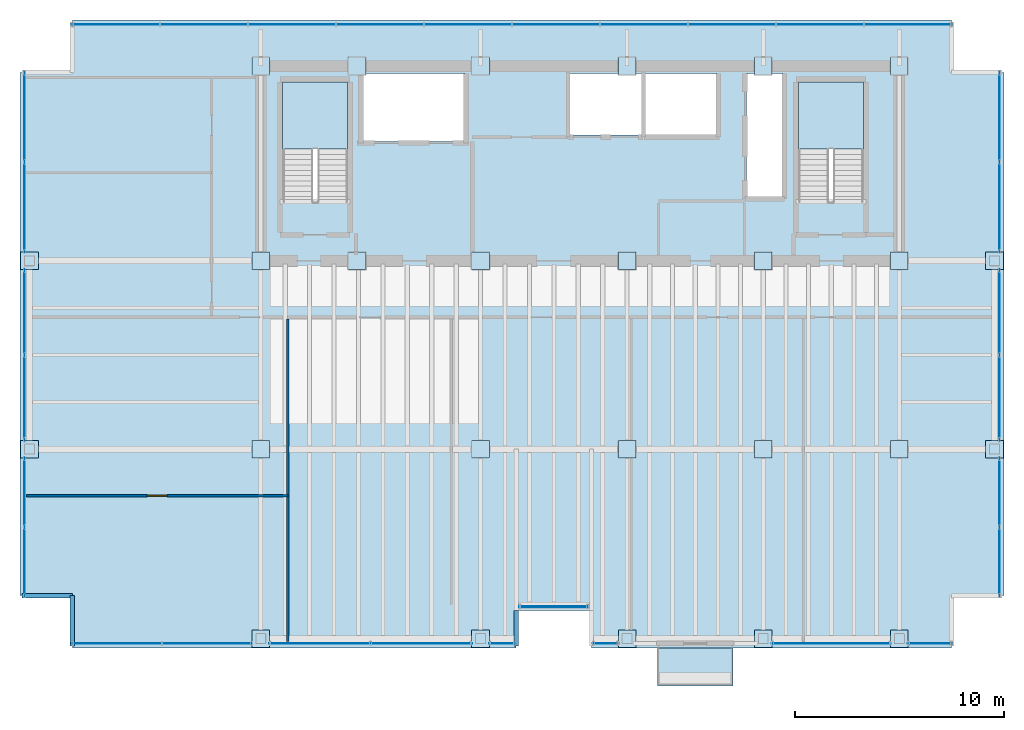
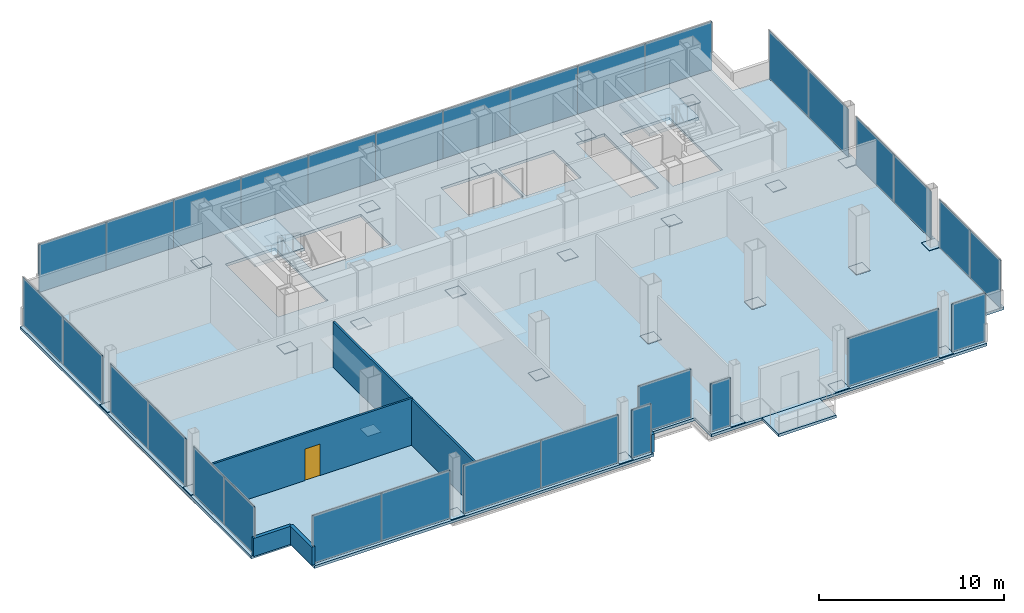
# One storey, part 17 of 20: 57 plates, 5 walls, 4 slabs, 1 door, 7 openings, 16 elements without a shape of their own.
"""IFC4 building model written with IfcOpenShell, lengths in metres."""

from ifc_helpers import new_model, si_unit, direction, frame, frame_2d, origin, origin_2d, place, context, subcontext, project, spatial, polyline, rectangle, outline, extrude, material, layer, layer_set, type_object, element, fill, aggregate, save


model = new_model("IFC4")

# Units and contexts
model_context = context("Model", 3, precision=1e-05, world=origin(), true_north=direction((0.0, 1.0)))
body_context = subcontext(model_context, "Body", "Model", "MODEL_VIEW")
ifc_project = project(units=[si_unit("LENGTHUNIT", "METRE"), si_unit("AREAUNIT", "SQUARE_METRE"), si_unit("VOLUMEUNIT", "CUBIC_METRE"), si_unit("PLANEANGLEUNIT", "RADIAN"), si_unit("MASSUNIT", "GRAM", prefix="KILO")], contexts=[model_context])

# Site, building, storey
site_placement = place(None, origin())
site = spatial("IfcSite", under=ifc_project, at=site_placement, CompositionType="ELEMENT")
building_placement = place(site_placement, origin())
building = spatial("IfcBuilding", under=site, at=building_placement, Name="Noeulbin Bourse Tower", CompositionType="ELEMENT")
storey_placement = place(building_placement, frame((0.0, 0.0, 122.699951171875)))
storey = spatial("IfcBuildingStorey", under=building, at=storey_placement, Name="L30", CompositionType="ELEMENT", Elevation=122.699951171875)

# Curtain wall, plate
ifc_material_1 = material(Name="Dark Tinted Triple Glazing", Category="glass")
curtain_wall_type = type_object("IfcCurtainWallType", Name="CW-SYS-3", PredefinedType="NOTDEFINED", material=ifc_material_1)
curtain_wall_1_placement = place(storey_placement, origin())
curtain_wall_1 = element("IfcCurtainWall", 1, at=curtain_wall_1_placement, inside=storey, type_object=curtain_wall_type, Name="Unitised Curtain Wall CW-L30-SREC", PredefinedType="NOTDEFINED")
ifc_layer_1 = layer(ifc_material_1, 0.035888671875)
ifc_layer_set_1 = layer_set([ifc_layer_1], Name="Dark Tinted Triple Glazing")
plate_type_1 = type_object("IfcPlateType", Name="CW-SYS-3-PNL", PredefinedType="CURTAIN_PANEL", material=ifc_layer_set_1)
plate_1_placement = place(storey_placement, frame((27.5, 12.47998046875, 0.0), z_axis=(0.0, 0.0, 1.0), x_axis=(1.0, 0.0, 0.0)))
plate_1 = element("IfcPlate", 2, at=plate_1_placement, type_object=plate_type_1, Name="Glazed Curtain Panel CW-L30-SREC-P00", PredefinedType="CURTAIN_PANEL", context=body_context, shape_type="SweptSolid", body=[
    extrude(rectangle(XDim=3.300048828125, YDim=0.035888671875, at=origin_2d()), origin(), (0.0, 0.0, 1.0), 3.179931640625),
])
aggregate(curtain_wall_1, [plate_1])

# Curtain wall, plates
curtain_wall_2_placement = place(storey_placement, origin())
curtain_wall_2 = element("IfcCurtainWall", 3, at=curtain_wall_2_placement, inside=storey, type_object=curtain_wall_type, Name="Unitised Curtain Wall CW-L30-S1-S1", PredefinedType="NOTDEFINED")
plate_2_placement = place(storey_placement, frame((6.632568359375, 10.719970703125, 0.0), z_axis=(0.0, 0.0, 1.0), x_axis=(1.0, 0.0, 0.0)))
plate_2 = element("IfcPlate", 4, at=plate_2_placement, type_object=plate_type_1, Name="Glazed Curtain Panel CW-L30-S1-S1-P00", PredefinedType="CURTAIN_PANEL", context=body_context, shape_type="SweptSolid", body=[
    extrude(rectangle(XDim=4.304931640625, YDim=0.035888671875, at=origin_2d()), origin(), (0.0, 0.0, 1.0), 3.179931640625),
])
plate_3_placement = place(storey_placement, frame((10.9375, 10.719970703125, 0.0), z_axis=(0.0, 0.0, 1.0), x_axis=(1.0, 0.0, 0.0)))
plate_3 = element("IfcPlate", 5, at=plate_3_placement, type_object=plate_type_1, Name="Glazed Curtain Panel CW-L30-S1-S1-P01", PredefinedType="CURTAIN_PANEL", context=body_context, shape_type="SweptSolid", body=[
    extrude(rectangle(XDim=4.304931640625, YDim=0.035888671875, at=origin_2d()), origin(), (0.0, 0.0, 1.0), 3.179931640625),
])
aggregate(curtain_wall_2, [plate_2, plate_3])

curtain_wall_3_placement = place(storey_placement, origin())
curtain_wall_3 = element("IfcCurtainWall", 6, at=curtain_wall_3_placement, inside=storey, type_object=curtain_wall_type, Name="Unitised Curtain Wall CW-L30-S1-S2", PredefinedType="NOTDEFINED")
plate_4_placement = place(storey_placement, frame((16.330078125, 10.719970703125, 0.0), z_axis=(0.0, 0.0, 1.0), x_axis=(1.0, 0.0, 0.0)))
plate_4 = element("IfcPlate", 7, at=plate_4_placement, type_object=plate_type_1, Name="Glazed Curtain Panel CW-L30-S1-S2-P00", PredefinedType="CURTAIN_PANEL", context=body_context, shape_type="SweptSolid", body=[
    extrude(rectangle(XDim=4.840087890625, YDim=0.035888671875, at=origin_2d()), origin(), (0.0, 0.0, 1.0), 3.179931640625),
])
plate_5_placement = place(storey_placement, frame((21.169921875, 10.719970703125, 0.0), z_axis=(0.0, 0.0, 1.0), x_axis=(1.0, 0.0, 0.0)))
plate_5 = element("IfcPlate", 8, at=plate_5_placement, type_object=plate_type_1, Name="Glazed Curtain Panel CW-L30-S1-S2-P01", PredefinedType="CURTAIN_PANEL", context=body_context, shape_type="SweptSolid", body=[
    extrude(rectangle(XDim=4.840087890625, YDim=0.035888671875, at=origin_2d()), origin(), (0.0, 0.0, 1.0), 3.179931640625),
])
aggregate(curtain_wall_3, [plate_4, plate_5])

# Curtain wall, plate
curtain_wall_4_placement = place(storey_placement, origin())
curtain_wall_4 = element("IfcCurtainWall", 9, at=curtain_wall_4_placement, inside=storey, type_object=curtain_wall_type, Name="Unitised Curtain Wall CW-L30-S1-S3", PredefinedType="NOTDEFINED")
plate_6_placement = place(storey_placement, frame((25.030029296875, 10.719970703125, 0.0), z_axis=(0.0, 0.0, 1.0), x_axis=(1.0, 0.0, 0.0)))
plate_6 = element("IfcPlate", 10, at=plate_6_placement, type_object=plate_type_1, Name="Glazed Curtain Panel CW-L30-S1-S3-P00", PredefinedType="CURTAIN_PANEL", context=body_context, shape_type="SweptSolid", body=[
    extrude(rectangle(XDim=1.239990234375, YDim=0.035888671875, at=origin_2d()), origin(), (0.0, 0.0, 1.0), 3.179931640625),
])
aggregate(curtain_wall_4, [plate_6])

curtain_wall_5_placement = place(storey_placement, origin())
curtain_wall_5 = element("IfcCurtainWall", 11, at=curtain_wall_5_placement, inside=storey, type_object=curtain_wall_type, Name="Unitised Curtain Wall CW-L30-S2", PredefinedType="NOTDEFINED")
plate_7_placement = place(storey_placement, frame((29.969970703125, 10.719970703125, 0.0), z_axis=(0.0, 0.0, 1.0), x_axis=(1.0, 0.0, 0.0)))
plate_7 = element("IfcPlate", 12, at=plate_7_placement, type_object=plate_type_1, Name="Glazed Curtain Panel CW-L30-S2-P00", PredefinedType="CURTAIN_PANEL", context=body_context, shape_type="SweptSolid", body=[
    extrude(rectangle(XDim=1.239990234375, YDim=0.035888671875, at=origin_2d()), origin(), (0.0, 0.0, 1.0), 3.179931640625),
])
aggregate(curtain_wall_5, [plate_7])

curtain_wall_6_placement = place(storey_placement, origin())
curtain_wall_6 = element("IfcCurtainWall", 13, at=curtain_wall_6_placement, inside=storey, type_object=curtain_wall_type, Name="Unitised Curtain Wall CW-L30-S3-S1", PredefinedType="NOTDEFINED")
plate_8_placement = place(storey_placement, frame((40.75, 10.719970703125, 0.0), z_axis=(0.0, 0.0, 1.0), x_axis=(1.0, 0.0, 0.0)))
plate_8 = element("IfcPlate", 14, at=plate_8_placement, type_object=plate_type_1, Name="Glazed Curtain Panel CW-L30-S3-S1-P00", PredefinedType="CURTAIN_PANEL", context=body_context, shape_type="SweptSolid", body=[
    extrude(rectangle(XDim=5.679931640625, YDim=0.035888671875, at=origin_2d()), origin(), (0.0, 0.0, 1.0), 3.179931640625),
])
aggregate(curtain_wall_6, [plate_8])

curtain_wall_7_placement = place(storey_placement, origin())
curtain_wall_7 = element("IfcCurtainWall", 15, at=curtain_wall_7_placement, inside=storey, type_object=curtain_wall_type, Name="Unitised Curtain Wall CW-L30-S3-S2", PredefinedType="NOTDEFINED")
plate_9_placement = place(storey_placement, frame((45.465087890625, 10.719970703125, 0.0), z_axis=(0.0, 0.0, 1.0), x_axis=(1.0, 0.0, 0.0)))
plate_9 = element("IfcPlate", 16, at=plate_9_placement, type_object=plate_type_1, Name="Glazed Curtain Panel CW-L30-S3-S2-P00", PredefinedType="CURTAIN_PANEL", context=body_context, shape_type="SweptSolid", body=[
    extrude(rectangle(XDim=2.110107421875, YDim=0.035888671875, at=origin_2d()), origin(), (0.0, 0.0, 1.0), 3.179931640625),
])
aggregate(curtain_wall_7, [plate_9])

# Curtain wall, plates
curtain_wall_8_placement = place(storey_placement, origin())
curtain_wall_8 = element("IfcCurtainWall", 17, at=curtain_wall_8_placement, inside=storey, type_object=curtain_wall_type, Name="Unitised Curtain Wall CW-L30-N", PredefinedType="NOTDEFINED")
plate_10_placement = place(storey_placement, frame((6.58203125, 40.280029296875, 0.0), z_axis=(0.0, 0.0, 1.0), x_axis=(1.0, 0.0, 0.0)))
plate_10 = element("IfcPlate", 18, at=plate_10_placement, type_object=plate_type_1, Name="Glazed Curtain Panel CW-L30-N-P00", PredefinedType="CURTAIN_PANEL", context=body_context, shape_type="SweptSolid", body=[
    extrude(rectangle(XDim=4.2041015625, YDim=0.035888671875, at=origin_2d()), origin(), (0.0, 0.0, 1.0), 3.179931640625),
])
plate_11_placement = place(storey_placement, frame((10.785888671875, 40.280029296875, 0.0), z_axis=(0.0, 0.0, 1.0), x_axis=(1.0, 0.0, 0.0)))
plate_11 = element("IfcPlate", 19, at=plate_11_placement, type_object=plate_type_1, Name="Glazed Curtain Panel CW-L30-N-P01", PredefinedType="CURTAIN_PANEL", context=body_context, shape_type="SweptSolid", body=[
    extrude(rectangle(XDim=4.2041015625, YDim=0.035888671875, at=origin_2d()), origin(), (0.0, 0.0, 1.0), 3.179931640625),
])
plate_12_placement = place(storey_placement, frame((14.989990234375, 40.280029296875, 0.0), z_axis=(0.0, 0.0, 1.0), x_axis=(1.0, 0.0, 0.0)))
plate_12 = element("IfcPlate", 20, at=plate_12_placement, type_object=plate_type_1, Name="Glazed Curtain Panel CW-L30-N-P02", PredefinedType="CURTAIN_PANEL", context=body_context, shape_type="SweptSolid", body=[
    extrude(rectangle(XDim=4.2041015625, YDim=0.035888671875, at=origin_2d()), origin(), (0.0, 0.0, 1.0), 3.179931640625),
])
plate_13_placement = place(storey_placement, frame((19.194091796875, 40.280029296875, 0.0), z_axis=(0.0, 0.0, 1.0), x_axis=(1.0, 0.0, 0.0)))
plate_13 = element("IfcPlate", 21, at=plate_13_placement, type_object=plate_type_1, Name="Glazed Curtain Panel CW-L30-N-P03", PredefinedType="CURTAIN_PANEL", context=body_context, shape_type="SweptSolid", body=[
    extrude(rectangle(XDim=4.2041015625, YDim=0.035888671875, at=origin_2d()), origin(), (0.0, 0.0, 1.0), 3.179931640625),
])
plate_14_placement = place(storey_placement, frame((23.39794921875, 40.280029296875, 0.0), z_axis=(0.0, 0.0, 1.0), x_axis=(1.0, 0.0, 0.0)))
plate_14 = element("IfcPlate", 22, at=plate_14_placement, type_object=plate_type_1, Name="Glazed Curtain Panel CW-L30-N-P04", PredefinedType="CURTAIN_PANEL", context=body_context, shape_type="SweptSolid", body=[
    extrude(rectangle(XDim=4.2041015625, YDim=0.035888671875, at=origin_2d()), origin(), (0.0, 0.0, 1.0), 3.179931640625),
])
plate_15_placement = place(storey_placement, frame((27.60205078125, 40.280029296875, 0.0), z_axis=(0.0, 0.0, 1.0), x_axis=(1.0, 0.0, 0.0)))
plate_15 = element("IfcPlate", 23, at=plate_15_placement, type_object=plate_type_1, Name="Glazed Curtain Panel CW-L30-N-P05", PredefinedType="CURTAIN_PANEL", context=body_context, shape_type="SweptSolid", body=[
    extrude(rectangle(XDim=4.2041015625, YDim=0.035888671875, at=origin_2d()), origin(), (0.0, 0.0, 1.0), 3.179931640625),
])
plate_16_placement = place(storey_placement, frame((31.805908203125, 40.280029296875, 0.0), z_axis=(0.0, 0.0, 1.0), x_axis=(1.0, 0.0, 0.0)))
plate_16 = element("IfcPlate", 24, at=plate_16_placement, type_object=plate_type_1, Name="Glazed Curtain Panel CW-L30-N-P06", PredefinedType="CURTAIN_PANEL", context=body_context, shape_type="SweptSolid", body=[
    extrude(rectangle(XDim=4.2041015625, YDim=0.035888671875, at=origin_2d()), origin(), (0.0, 0.0, 1.0), 3.179931640625),
])
plate_17_placement = place(storey_placement, frame((36.010009765625, 40.280029296875, 0.0), z_axis=(0.0, 0.0, 1.0), x_axis=(1.0, 0.0, 0.0)))
plate_17 = element("IfcPlate", 25, at=plate_17_placement, type_object=plate_type_1, Name="Glazed Curtain Panel CW-L30-N-P07", PredefinedType="CURTAIN_PANEL", context=body_context, shape_type="SweptSolid", body=[
    extrude(rectangle(XDim=4.2041015625, YDim=0.035888671875, at=origin_2d()), origin(), (0.0, 0.0, 1.0), 3.179931640625),
])
plate_18_placement = place(storey_placement, frame((40.214111328125, 40.280029296875, 0.0), z_axis=(0.0, 0.0, 1.0), x_axis=(1.0, 0.0, 0.0)))
plate_18 = element("IfcPlate", 26, at=plate_18_placement, type_object=plate_type_1, Name="Glazed Curtain Panel CW-L30-N-P08", PredefinedType="CURTAIN_PANEL", context=body_context, shape_type="SweptSolid", body=[
    extrude(rectangle(XDim=4.2041015625, YDim=0.035888671875, at=origin_2d()), origin(), (0.0, 0.0, 1.0), 3.179931640625),
])
plate_19_placement = place(storey_placement, frame((44.41796875, 40.280029296875, 0.0), z_axis=(0.0, 0.0, 1.0), x_axis=(1.0, 0.0, 0.0)))
plate_19 = element("IfcPlate", 27, at=plate_19_placement, type_object=plate_type_1, Name="Glazed Curtain Panel CW-L30-N-P09", PredefinedType="CURTAIN_PANEL", context=body_context, shape_type="SweptSolid", body=[
    extrude(rectangle(XDim=4.2041015625, YDim=0.035888671875, at=origin_2d()), origin(), (0.0, 0.0, 1.0), 3.179931640625),
])
aggregate(curtain_wall_8, [plate_10, plate_11, plate_12, plate_13, plate_14, plate_15, plate_16, plate_17, plate_18, plate_19])

curtain_wall_9_placement = place(storey_placement, origin())
curtain_wall_9 = element("IfcCurtainWall", 28, at=curtain_wall_9_placement, inside=storey, type_object=curtain_wall_type, Name="Unitised Curtain Wall CW-L30-W-S1", PredefinedType="NOTDEFINED")
plate_20_placement = place(storey_placement, frame((2.219970703125, 14.632568359375, 0.0), z_axis=(0.0, 0.0, 1.0), x_axis=(0.0, 1.0, 0.0)))
plate_20 = element("IfcPlate", 29, at=plate_20_placement, type_object=plate_type_1, Name="Glazed Curtain Panel CW-L30-W-S1-P00", PredefinedType="CURTAIN_PANEL", context=body_context, shape_type="SweptSolid", body=[
    extrude(rectangle(XDim=3.304931640625, YDim=0.035888671875, at=origin_2d()), origin(), (0.0, 0.0, 1.0), 3.179931640625),
])
plate_21_placement = place(storey_placement, frame((2.219970703125, 17.9375, 0.0), z_axis=(0.0, 0.0, 1.0), x_axis=(0.0, 1.0, 0.0)))
plate_21 = element("IfcPlate", 30, at=plate_21_placement, type_object=plate_type_1, Name="Glazed Curtain Panel CW-L30-W-S1-P01", PredefinedType="CURTAIN_PANEL", context=body_context, shape_type="SweptSolid", body=[
    extrude(rectangle(XDim=3.304931640625, YDim=0.035888671875, at=origin_2d()), origin(), (0.0, 0.0, 1.0), 3.179931640625),
])
aggregate(curtain_wall_9, [plate_20, plate_21])

curtain_wall_10_placement = place(storey_placement, origin())
curtain_wall_10 = element("IfcCurtainWall", 31, at=curtain_wall_10_placement, inside=storey, type_object=curtain_wall_type, Name="Unitised Curtain Wall CW-L30-W-S2", PredefinedType="NOTDEFINED")
plate_22_placement = place(storey_placement, frame((2.219970703125, 22.455078125, 0.0), z_axis=(0.0, 0.0, 1.0), x_axis=(0.0, 1.0, 0.0)))
plate_22 = element("IfcPlate", 32, at=plate_22_placement, type_object=plate_type_1, Name="Glazed Curtain Panel CW-L30-W-S2-P00", PredefinedType="CURTAIN_PANEL", context=body_context, shape_type="SweptSolid", body=[
    extrude(rectangle(XDim=4.090087890625, YDim=0.035888671875, at=origin_2d()), origin(), (0.0, 0.0, 1.0), 3.179931640625),
])
plate_23_placement = place(storey_placement, frame((2.219970703125, 26.544921875, 0.0), z_axis=(0.0, 0.0, 1.0), x_axis=(0.0, 1.0, 0.0)))
plate_23 = element("IfcPlate", 33, at=plate_23_placement, type_object=plate_type_1, Name="Glazed Curtain Panel CW-L30-W-S2-P01", PredefinedType="CURTAIN_PANEL", context=body_context, shape_type="SweptSolid", body=[
    extrude(rectangle(XDim=4.090087890625, YDim=0.035888671875, at=origin_2d()), origin(), (0.0, 0.0, 1.0), 3.179931640625),
])
aggregate(curtain_wall_10, [plate_22, plate_23])

curtain_wall_11_placement = place(storey_placement, origin())
curtain_wall_11 = element("IfcCurtainWall", 34, at=curtain_wall_11_placement, inside=storey, type_object=curtain_wall_type, Name="Unitised Curtain Wall CW-L30-W-S3", PredefinedType="NOTDEFINED")
plate_24_placement = place(storey_placement, frame((2.219970703125, 31.5625, 0.0), z_axis=(0.0, 0.0, 1.0), x_axis=(0.0, 1.0, 0.0)))
plate_24 = element("IfcPlate", 35, at=plate_24_placement, type_object=plate_type_1, Name="Glazed Curtain Panel CW-L30-W-S3-P00", PredefinedType="CURTAIN_PANEL", context=body_context, shape_type="SweptSolid", body=[
    extrude(rectangle(XDim=4.304931640625, YDim=0.035888671875, at=origin_2d()), origin(), (0.0, 0.0, 1.0), 3.179931640625),
])
plate_25_placement = place(storey_placement, frame((2.219970703125, 35.867431640625, 0.0), z_axis=(0.0, 0.0, 1.0), x_axis=(0.0, 1.0, 0.0)))
plate_25 = element("IfcPlate", 36, at=plate_25_placement, type_object=plate_type_1, Name="Glazed Curtain Panel CW-L30-W-S3-P01", PredefinedType="CURTAIN_PANEL", context=body_context, shape_type="SweptSolid", body=[
    extrude(rectangle(XDim=4.304931640625, YDim=0.035888671875, at=origin_2d()), origin(), (0.0, 0.0, 1.0), 3.179931640625),
])
aggregate(curtain_wall_11, [plate_24, plate_25])

curtain_wall_12_placement = place(storey_placement, origin())
curtain_wall_12 = element("IfcCurtainWall", 37, at=curtain_wall_12_placement, inside=storey, type_object=curtain_wall_type, Name="Unitised Curtain Wall CW-L30-E-S1", PredefinedType="NOTDEFINED")
plate_26_placement = place(storey_placement, frame((48.780029296875, 14.632568359375, 0.0), z_axis=(0.0, 0.0, 1.0), x_axis=(0.0, 1.0, 0.0)))
plate_26 = element("IfcPlate", 38, at=plate_26_placement, type_object=plate_type_1, Name="Glazed Curtain Panel CW-L30-E-S1-P00", PredefinedType="CURTAIN_PANEL", context=body_context, shape_type="SweptSolid", body=[
    extrude(rectangle(XDim=3.304931640625, YDim=0.035888671875, at=origin_2d()), origin(), (0.0, 0.0, 1.0), 3.179931640625),
])
plate_27_placement = place(storey_placement, frame((48.780029296875, 17.9375, 0.0), z_axis=(0.0, 0.0, 1.0), x_axis=(0.0, 1.0, 0.0)))
plate_27 = element("IfcPlate", 39, at=plate_27_placement, type_object=plate_type_1, Name="Glazed Curtain Panel CW-L30-E-S1-P01", PredefinedType="CURTAIN_PANEL", context=body_context, shape_type="SweptSolid", body=[
    extrude(rectangle(XDim=3.304931640625, YDim=0.035888671875, at=origin_2d()), origin(), (0.0, 0.0, 1.0), 3.179931640625),
])
aggregate(curtain_wall_12, [plate_26, plate_27])

curtain_wall_13_placement = place(storey_placement, origin())
curtain_wall_13 = element("IfcCurtainWall", 40, at=curtain_wall_13_placement, inside=storey, type_object=curtain_wall_type, Name="Unitised Curtain Wall CW-L30-E-S2", PredefinedType="NOTDEFINED")
plate_28_placement = place(storey_placement, frame((48.780029296875, 22.455078125, 0.0), z_axis=(0.0, 0.0, 1.0), x_axis=(0.0, 1.0, 0.0)))
plate_28 = element("IfcPlate", 41, at=plate_28_placement, type_object=plate_type_1, Name="Glazed Curtain Panel CW-L30-E-S2-P00", PredefinedType="CURTAIN_PANEL", context=body_context, shape_type="SweptSolid", body=[
    extrude(rectangle(XDim=4.090087890625, YDim=0.035888671875, at=origin_2d()), origin(), (0.0, 0.0, 1.0), 3.179931640625),
])
plate_29_placement = place(storey_placement, frame((48.780029296875, 26.544921875, 0.0), z_axis=(0.0, 0.0, 1.0), x_axis=(0.0, 1.0, 0.0)))
plate_29 = element("IfcPlate", 42, at=plate_29_placement, type_object=plate_type_1, Name="Glazed Curtain Panel CW-L30-E-S2-P01", PredefinedType="CURTAIN_PANEL", context=body_context, shape_type="SweptSolid", body=[
    extrude(rectangle(XDim=4.090087890625, YDim=0.035888671875, at=origin_2d()), origin(), (0.0, 0.0, 1.0), 3.179931640625),
])
aggregate(curtain_wall_13, [plate_28, plate_29])

curtain_wall_14_placement = place(storey_placement, origin())
curtain_wall_14 = element("IfcCurtainWall", 43, at=curtain_wall_14_placement, inside=storey, type_object=curtain_wall_type, Name="Unitised Curtain Wall CW-L30-E-S3", PredefinedType="NOTDEFINED")
plate_30_placement = place(storey_placement, frame((48.780029296875, 31.5625, 0.0), z_axis=(0.0, 0.0, 1.0), x_axis=(0.0, 1.0, 0.0)))
plate_30 = element("IfcPlate", 44, at=plate_30_placement, type_object=plate_type_1, Name="Glazed Curtain Panel CW-L30-E-S3-P00", PredefinedType="CURTAIN_PANEL", context=body_context, shape_type="SweptSolid", body=[
    extrude(rectangle(XDim=4.304931640625, YDim=0.035888671875, at=origin_2d()), origin(), (0.0, 0.0, 1.0), 3.179931640625),
])
plate_31_placement = place(storey_placement, frame((48.780029296875, 35.867431640625, 0.0), z_axis=(0.0, 0.0, 1.0), x_axis=(0.0, 1.0, 0.0)))
plate_31 = element("IfcPlate", 45, at=plate_31_placement, type_object=plate_type_1, Name="Glazed Curtain Panel CW-L30-E-S3-P01", PredefinedType="CURTAIN_PANEL", context=body_context, shape_type="SweptSolid", body=[
    extrude(rectangle(XDim=4.304931640625, YDim=0.035888671875, at=origin_2d()), origin(), (0.0, 0.0, 1.0), 3.179931640625),
])
aggregate(curtain_wall_14, [plate_30, plate_31])

# Plates
ifc_material_2 = material(Name="Steel S355", Category="steel")
ifc_layer_2 = layer(ifc_material_2, 0.030029296875)
ifc_layer_set_2 = layer_set([ifc_layer_2], Name="Steel S355")
plate_type_2 = type_object("IfcPlateType", Name="PLT-BN1", PredefinedType="USERDEFINED", material=ifc_layer_set_2)
for number, where, z_axis, x_axis, name in (
    (46, (13.5, 29.0, 0.0048828125), (0.0, 0.0, 1.0), (1.0, 0.0, 0.0), "Mega-Column Splice Plate BN1-L30-01"),
    (47, (13.5, 38.300048828125, 0.0048828125), (0.0, 0.0, 1.0), (1.0, 0.0, 0.0), "Mega-Column Splice Plate BN1-L30-02"),
    (48, (18.10009765625, 29.0, 0.0048828125), (0.0, 0.0, 1.0), (1.0, 0.0, 0.0), "Mega-Column Splice Plate BN1-L30-03"),
    (49, (18.10009765625, 38.300048828125, 0.0048828125), (0.0, 0.0, 1.0), (1.0, 0.0, 0.0), "Mega-Column Splice Plate BN1-L30-04"),
    (50, (24.0, 29.0, 0.0048828125), (0.0, 0.0, 1.0), (1.0, 0.0, 0.0), "Mega-Column Splice Plate BN1-L30-05"),
    (51, (24.0, 38.300048828125, 0.0048828125), (0.0, 0.0, 1.0), (1.0, 0.0, 0.0), "Mega-Column Splice Plate BN1-L30-06"),
    (52, (31.0, 29.0, 0.0048828125), (0.0, 0.0, 1.0), (1.0, 0.0, 0.0), "Mega-Column Splice Plate BN1-L30-07"),
    (53, (31.0, 38.300048828125, 0.0048828125), (0.0, 0.0, 1.0), (1.0, 0.0, 0.0), "Mega-Column Splice Plate BN1-L30-08"),
    (54, (37.5, 29.0, 0.0048828125), (0.0, 0.0, 1.0), (1.0, 0.0, 0.0), "Mega-Column Splice Plate BN1-L30-09"),
    (55, (37.5, 38.300048828125, 0.0048828125), (0.0, 0.0, 1.0), (1.0, 0.0, 0.0), "Mega-Column Splice Plate BN1-L30-10"),
    (56, (44.0, 29.0, 0.0048828125), (0.0, 0.0, 1.0), (1.0, 0.0, 0.0), "Mega-Column Splice Plate BN1-L30-11"),
    (57, (44.0, 38.300048828125, 0.0048828125), (0.0, 0.0, 1.0), (1.0, 0.0, 0.0), "Mega-Column Splice Plate BN1-L30-12"),
    (58, (13.5, 20.0, 0.0048828125), (0.0, 0.0, 1.0), (1.0, 0.0, 0.0), "Mega-Column Splice Plate BN1-L30-13"),
    (59, (24.0, 20.0, 0.0048828125), (0.0, 0.0, 1.0), (1.0, 0.0, 0.0), "Mega-Column Splice Plate BN1-L30-14"),
    (60, (31.0, 20.0, 0.0048828125), (0.0, 0.0, 1.0), (1.0, 0.0, 0.0), "Mega-Column Splice Plate BN1-L30-15"),
    (61, (37.5, 20.0, 0.0048828125), (0.0, 0.0, 1.0), (1.0, 0.0, 0.0), "Mega-Column Splice Plate BN1-L30-16"),
    (62, (44.0, 20.0, 0.0048828125), (0.0, 0.0, 1.0), (1.0, 0.0, 0.0), "Mega-Column Splice Plate BN1-L30-17"),
    (63, (2.449951171875, 20.0, 0.0048828125), (0.0, 0.0, 1.0), (1.0, 0.0, 0.0), "Perimeter Column Splice Plate BN1-L30-01"),
    (64, (2.449951171875, 29.0, 0.0048828125), (0.0, 0.0, 1.0), (1.0, 0.0, 0.0), "Perimeter Column Splice Plate BN1-L30-02"),
    (65, (13.5, 10.949951171875, 0.0048828125), (0.0, 0.0, 1.0), (1.0, 0.0, 0.0), "Perimeter Column Splice Plate BN1-L30-03"),
    (66, (24.0, 10.949951171875, 0.0048828125), (0.0, 0.0, 1.0), (1.0, 0.0, 0.0), "Perimeter Column Splice Plate BN1-L30-04"),
    (67, (31.0, 10.949951171875, 0.0048828125), (0.0, 0.0, 1.0), (1.0, 0.0, 0.0), "Perimeter Column Splice Plate BN1-L30-05"),
    (68, (37.5, 10.949951171875, 0.0048828125), (0.0, 0.0, 1.0), (1.0, 0.0, 0.0), "Perimeter Column Splice Plate BN1-L30-06"),
    (69, (44.0, 10.949951171875, 0.0048828125), (0.0, 0.0, 1.0), (1.0, 0.0, 0.0), "Perimeter Column Splice Plate BN1-L30-07"),
    (70, (48.550048828125, 20.0, 0.0048828125), (0.0, 0.0, 1.0), (1.0, 0.0, 0.0), "Perimeter Column Splice Plate BN1-L30-08"),
    (71, (48.550048828125, 29.0, 0.0048828125), (0.0, 0.0, 1.0), (1.0, 0.0, 0.0), "Perimeter Column Splice Plate BN1-L30-09"),
):
    element("IfcPlate", number, at=place(storey_placement, frame(where, z_axis=z_axis, x_axis=x_axis)), inside=storey, type_object=plate_type_2, Name=name, ObjectType="SPLICE PLATE", PredefinedType="USERDEFINED", context=body_context, shape_type="SweptSolid", body=[
        extrude(rectangle(XDim=0.85009765625, YDim=0.85009765625, at=origin_2d()), origin(), (0.0, 0.0, 1.0), 0.030029296875),
    ])

# Stair, slab
ifc_material_3 = material(Name="Concrete C40/50", Category="concrete")
stair_type = type_object("IfcStairType", Name="STR-CORE-1560", PredefinedType="HALF_TURN_STAIR", material=ifc_material_3)
stair_1_placement = place(storey_placement, origin())
stair_1 = element("IfcStair", 72, at=stair_1_placement, inside=storey, type_object=stair_type, Name="L30 ST-1", PredefinedType="HALF_TURN_STAIR")
ifc_layer_3 = layer(ifc_material_3, 0.199951171875)
ifc_layer_set_3 = layer_set([ifc_layer_3], Name="Concrete C40/50")
slab_type_1 = type_object("IfcSlabType", Name="SLB-LND-200", PredefinedType="LANDING", material=ifc_layer_set_3)
slab_1_placement = place(storey_placement, frame((0.0, 0.0, 1.75)))
slab_1 = element("IfcSlab", 73, at=slab_1_placement, type_object=slab_type_1, Name="ST-1 landing 1", PredefinedType="LANDING", context=body_context, shape_type="SweptSolid", body=[
    extrude(outline(polyline([(17.64990234375, 34.330078125), (17.64990234375, 37.5439453125), (14.550048828125, 37.5439453125), (14.550048828125, 34.330078125), (17.64990234375, 34.330078125)])), origin(), (0.0, 0.0, 1.0), 0.199951171875),
])
aggregate(stair_1, [slab_1])

stair_2_placement = place(storey_placement, origin())
stair_2 = element("IfcStair", 74, at=stair_2_placement, inside=storey, type_object=stair_type, Name="L30 ST-2", PredefinedType="HALF_TURN_STAIR")
slab_2_placement = place(storey_placement, frame((0.0, 0.0, 1.75)))
slab_2 = element("IfcSlab", 75, at=slab_2_placement, type_object=slab_type_1, Name="ST-2 landing 1", PredefinedType="LANDING", context=body_context, shape_type="SweptSolid", body=[
    extrude(outline(polyline([(42.280029296875, 34.330078125), (42.280029296875, 37.5439453125), (39.179931640625, 37.5439453125), (39.179931640625, 34.330078125), (42.280029296875, 34.330078125)])), origin(), (0.0, 0.0, 1.0), 0.199951171875),
])
aggregate(stair_2, [slab_2])

# Slab, openings
ifc_layer_4 = layer(ifc_material_3, 0.179931640625)
ifc_layer_set_4 = layer_set([ifc_layer_4], Name="Concrete C40/50")
slab_type_2 = type_object("IfcSlabType", Name="SLB-TYP-180", PredefinedType="FLOOR", material=ifc_layer_set_4)
slab_3_placement = place(storey_placement, frame((0.0, 0.0, -0.179931640625)))
slab_3 = element("IfcSlab", 76, at=slab_3_placement, inside=storey, type_object=slab_type_2, Name="Tower Structural Floor Slab L30", PredefinedType="FLOOR", context=body_context, shape_type="SweptSolid", body=[
    extrude(outline(polyline([(4.5, 10.5), (25.699951171875, 10.5), (25.699951171875, 12.300048828125), (29.300048828125, 12.300048828125), (29.300048828125, 10.5), (46.5, 10.5), (46.5, 13.0), (49.0, 13.0), (49.0, 38.0), (46.5, 38.0), (46.5, 40.5), (4.5, 40.5), (4.5, 38.0), (2.0, 38.0), (2.0, 13.0), (4.5, 13.0), (4.5, 10.5)]), holes=[polyline([(17.64990234375, 31.81005859375), (17.64990234375, 37.5439453125), (14.550048828125, 37.5439453125), (14.550048828125, 31.81005859375), (17.64990234375, 31.81005859375)]), polyline([(42.280029296875, 31.81005859375), (42.280029296875, 37.5439453125), (39.179931640625, 37.5439453125), (39.179931640625, 31.81005859375), (42.280029296875, 31.81005859375)]), polyline([(18.35009765625, 34.699951171875), (23.25, 34.699951171875), (23.25, 37.949951171875), (18.35009765625, 37.949951171875), (18.35009765625, 34.699951171875)]), polyline([(36.699951171875, 32.050048828125), (38.449951171875, 32.050048828125), (38.449951171875, 37.949951171875), (36.699951171875, 37.949951171875), (36.699951171875, 32.050048828125)]), polyline([(28.25, 35.0), (31.699951171875, 35.0), (31.699951171875, 37.949951171875), (28.25, 37.949951171875), (28.25, 35.0)]), polyline([(31.85009765625, 35.0), (35.300048828125, 35.0), (35.300048828125, 37.949951171875), (31.85009765625, 37.949951171875), (31.85009765625, 35.0)])]), origin(), (0.0, 0.0, 1.0), 0.179931640625),
])
opening_1_placement = place(slab_3_placement, frame((0.0, 0.0, -0.010009765625)))
element("IfcOpeningElement", 77, at=opening_1_placement, cuts=slab_3, Name="Slab Shaft Opening SLB-L30-TWR-1", PredefinedType="OPENING", context=body_context, shape_type="SweptSolid", body=[
    extrude(outline(polyline([(17.64990234375, 31.81005859375), (17.64990234375, 37.5439453125), (14.550048828125, 37.5439453125), (14.550048828125, 31.81005859375), (17.64990234375, 31.81005859375)])), origin(), (0.0, 0.0, 1.0), 0.199951171875),
])
opening_2_placement = place(slab_3_placement, frame((0.0, 0.0, -0.010009765625)))
element("IfcOpeningElement", 78, at=opening_2_placement, cuts=slab_3, Name="Slab Shaft Opening SLB-L30-TWR-2", PredefinedType="OPENING", context=body_context, shape_type="SweptSolid", body=[
    extrude(outline(polyline([(42.280029296875, 31.81005859375), (42.280029296875, 37.5439453125), (39.179931640625, 37.5439453125), (39.179931640625, 31.81005859375), (42.280029296875, 31.81005859375)])), origin(), (0.0, 0.0, 1.0), 0.199951171875),
])
opening_3_placement = place(slab_3_placement, frame((0.0, 0.0, -0.010009765625)))
element("IfcOpeningElement", 79, at=opening_3_placement, cuts=slab_3, Name="Slab Shaft Opening SLB-L30-TWR-3", PredefinedType="OPENING", context=body_context, shape_type="SweptSolid", body=[
    extrude(outline(polyline([(18.35009765625, 34.699951171875), (23.25, 34.699951171875), (23.25, 37.949951171875), (18.35009765625, 37.949951171875), (18.35009765625, 34.699951171875)])), origin(), (0.0, 0.0, 1.0), 0.199951171875),
])
opening_4_placement = place(slab_3_placement, frame((0.0, 0.0, -0.010009765625)))
element("IfcOpeningElement", 80, at=opening_4_placement, cuts=slab_3, Name="Slab Shaft Opening SLB-L30-TWR-4", PredefinedType="OPENING", context=body_context, shape_type="SweptSolid", body=[
    extrude(outline(polyline([(36.699951171875, 32.050048828125), (38.449951171875, 32.050048828125), (38.449951171875, 37.949951171875), (36.699951171875, 37.949951171875), (36.699951171875, 32.050048828125)])), origin(), (0.0, 0.0, 1.0), 0.199951171875),
])
opening_5_placement = place(slab_3_placement, frame((0.0, 0.0, -0.010009765625)))
element("IfcOpeningElement", 81, at=opening_5_placement, cuts=slab_3, Name="Slab Shaft Opening SLB-L30-TWR-5", PredefinedType="OPENING", context=body_context, shape_type="SweptSolid", body=[
    extrude(outline(polyline([(28.25, 35.0), (31.699951171875, 35.0), (31.699951171875, 37.949951171875), (28.25, 37.949951171875), (28.25, 35.0)])), origin(), (0.0, 0.0, 1.0), 0.199951171875),
])
opening_6_placement = place(slab_3_placement, frame((0.0, 0.0, -0.010009765625)))
element("IfcOpeningElement", 82, at=opening_6_placement, cuts=slab_3, Name="Slab Shaft Opening SLB-L30-TWR-6", PredefinedType="OPENING", context=body_context, shape_type="SweptSolid", body=[
    extrude(outline(polyline([(31.85009765625, 35.0), (35.300048828125, 35.0), (35.300048828125, 37.949951171875), (31.85009765625, 37.949951171875), (31.85009765625, 35.0)])), origin(), (0.0, 0.0, 1.0), 0.199951171875),
])

# Slab
slab_4_placement = place(storey_placement, frame((0.0, 0.0, -0.179931640625)))
element("IfcSlab", 83, at=slab_4_placement, inside=storey, type_object=slab_type_2, Name="Cantilevered Tree-Balcony Slab L30", PredefinedType="FLOOR", context=body_context, shape_type="SweptSolid", body=[
    extrude(outline(polyline([(32.449951171875, 8.699951171875), (36.050048828125, 8.699951171875), (36.050048828125, 10.5), (32.449951171875, 10.5), (32.449951171875, 8.699951171875)])), origin(), (0.0, 0.0, 1.0), 0.179931640625),
])

# Walls
ifc_layer_5 = layer(ifc_material_3, 0.199951171875)
ifc_layer_set_5 = layer_set([ifc_layer_5], Name="Concrete C40/50")
wall_type_1 = type_object("IfcWallType", Name="WAL-PAR-200", PredefinedType="PARAPET", material=ifc_layer_set_5)
for number, where, z_axis, x_axis, name in (
    (84, (2.10009765625, 13.0, 0.0), (0.0, 0.0, 1.0), (1.0, 0.0, 0.0), "Corner Notch Parapet L30-SW1"),
    (85, (4.5, 13.0, 0.0), (0.0, 0.0, 1.0), (0.0, -1.0, 0.0), "Corner Notch Parapet L30-SW2"),
):
    element("IfcWall", number, at=place(storey_placement, frame(where, z_axis=z_axis, x_axis=x_axis)), inside=storey, type_object=wall_type_1, Name=name, PredefinedType="PARAPET", context=body_context, shape_type="SweptSolid", body=[
        extrude(rectangle(XDim=2.39990234375, YDim=0.199951171875, at=frame_2d((1.199951171875, 0.0))), origin(), (0.0, 0.0, 1.0), 1.199951171875),
    ])
wall_1_placement = place(storey_placement, frame((25.699951171875, 10.60009765625, 0.0), z_axis=(0.0, 0.0, 1.0), x_axis=(0.0, 1.0, 0.0)))
element("IfcWall", 86, at=wall_1_placement, inside=storey, type_object=wall_type_1, Name="Sky-Garden Recess Parapet L30-W", PredefinedType="PARAPET", context=body_context, shape_type="SweptSolid", body=[
    extrude(rectangle(XDim=1.699951171875, YDim=0.199951171875, at=frame_2d((0.85009765625, 0.0))), origin(), (0.0, 0.0, 1.0), 1.199951171875),
])

# Wall, opening, door
ifc_material_4 = material(Name="Steel Stud Gypsum Partition", Category="steel")
ifc_layer_6 = layer(ifc_material_4, 0.1201171875)
ifc_layer_set_6 = layer_set([ifc_layer_6], Name="Steel Stud Gypsum Partition")
wall_type_2 = type_object("IfcWallType", Name="WAL-PRT-120", PredefinedType="PARTITIONING", material=ifc_layer_set_6)
wall_2_placement = place(storey_placement, frame((2.31005859375, 17.780029296875, 0.0), z_axis=(0.0, 0.0, 1.0), x_axis=(1.0, 0.0, 0.0)))
wall_2 = element("IfcWall", 87, at=wall_2_placement, inside=storey, type_object=wall_type_2, Name="Interior Partition Wall L30-06", PredefinedType="PARTITIONING", context=body_context, shape_type="SweptSolid", body=[
    extrude(rectangle(XDim=12.489990234375, YDim=0.1201171875, at=frame_2d((6.2451171875, 0.0))), origin(), (0.0, 0.0, 1.0), 3.10009765625),
])
opening_7_placement = place(wall_2_placement, frame((5.77001953125, 0.0, 0.0)))
opening_7 = element("IfcOpeningElement", 88, at=opening_7_placement, cuts=wall_2, Name="Opening ID-09", PredefinedType="OPENING", context=body_context, shape_type="SweptSolid", body=[
    extrude(rectangle(XDim=0.949951171875, YDim=2.080078125, at=frame_2d((0.47509765625, 1.0400390625))), frame((0.0, 0.070068359375, 0.0), z_axis=(0.0, -1.0, 0.0), x_axis=(1.0, 0.0, 0.0)), (0.0, 0.0, 1.0), 0.14013671875),
])
ifc_material_5 = material(Name="Acoustic Solid-Core Timber", Category="wood")
door_type = type_object("IfcDoorType", Name="DR-SINGLE-950", OperationType="SINGLE_SWING_LEFT", PredefinedType="DOOR", material=ifc_material_5)
door_placement = place(opening_7_placement, origin())
door = element("IfcDoor", 89, at=door_placement, inside=storey, type_object=door_type, Name="Interior Door L30-07", OperationType="SINGLE_SWING_LEFT", OverallHeight=2.080078125, OverallWidth=0.949951171875, PredefinedType="DOOR", context=body_context, shape_type="SweptSolid", body=[
    extrude(rectangle(XDim=0.949951171875, YDim=2.080078125, at=frame_2d((0.47509765625, 1.0400390625))), frame((0.0, 0.02490234375, 0.0), z_axis=(0.0, -1.0, 0.0), x_axis=(1.0, 0.0, 0.0)), (0.0, 0.0, 1.0), 0.050048828125),
])
fill(opening_7, door)

# Wall
wall_3_placement = place(storey_placement, frame((14.800048828125, 10.81005859375, 0.0), z_axis=(0.0, 0.0, 1.0), x_axis=(0.0, 1.0, 0.0)))
element("IfcWall", 90, at=wall_3_placement, inside=storey, type_object=wall_type_2, Name="Interior Partition Wall L30-14", PredefinedType="PARTITIONING", context=body_context, shape_type="SweptSolid", body=[
    extrude(rectangle(XDim=15.405029296875, YDim=0.1201171875, at=frame_2d((7.70263671875, 0.0))), origin(), (0.0, 0.0, 1.0), 3.0),
])

save(model, "model.ifc")
